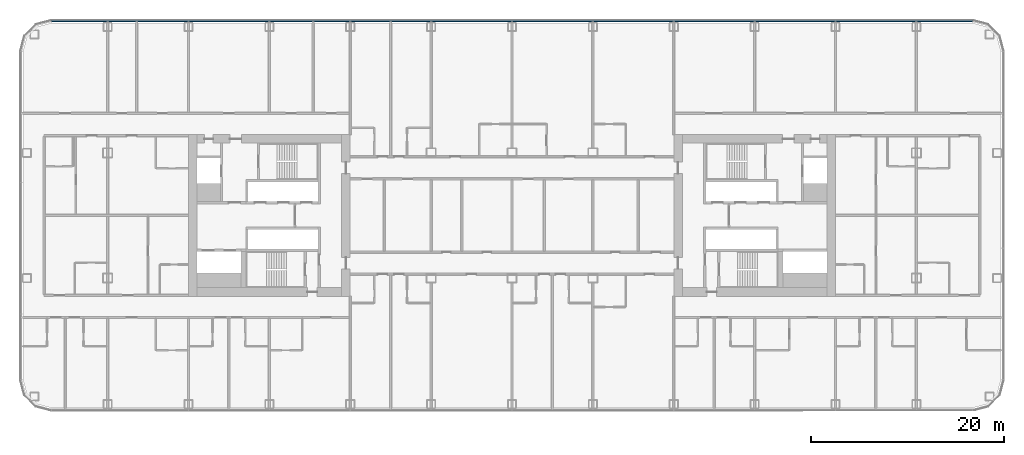
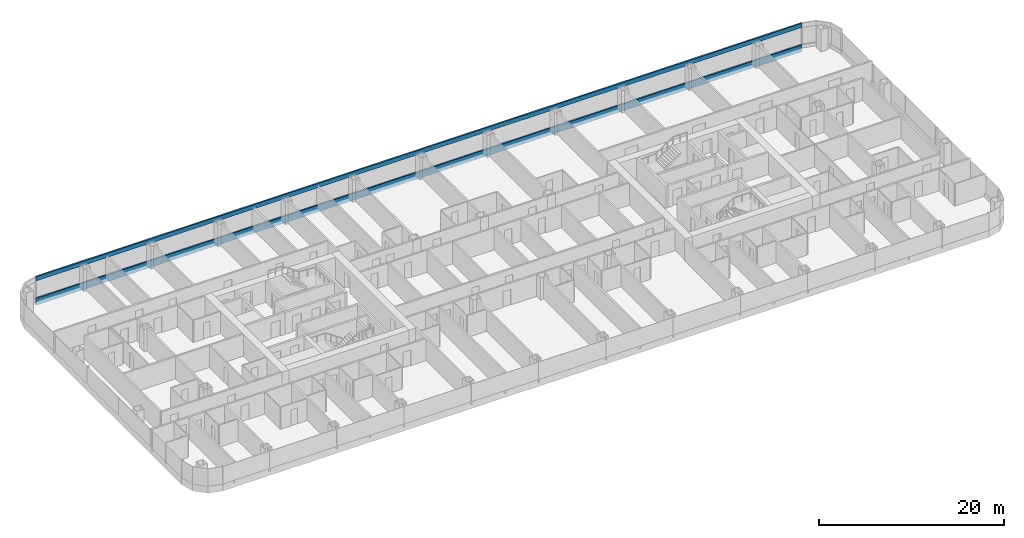
# One storey, part 8 of 29: 2 members, 1 element without a shape of its own.
"""IFC4 building model written with IfcOpenShell, lengths in metres."""

import ifcopenshell
import ifcopenshell.guid

model = None  # the IFC model being written
_history = None  # IfcOwnerHistory: only IFC2X3 demands one
_inside = {}  # id of a spatial element -> (the spatial element, [elements in it])
_under = {}  # id of a project, library or spatial element -> (it, [spatial elements below it])
_declared = {}  # id of a project -> (the project, [libraries it declares])
_typed = {}  # id of a type object -> (the type object, [elements of that type])
_made_of = {}  # id of a material, layer set ... -> (it, [elements and type objects made of it])


def new_model(schema):
    """Start an empty IFC model of exactly this schema.

    Asked for "IFC4X3", IfcOpenShell would pick the latest addendum, in which some entities
    have other attributes; the version numbers below select the first issue.
    IFC2X3 requires an IfcOwnerHistory on every rooted entity: one is made here for all.
    """
    global model, _history
    if schema == "IFC4X3":
        model = ifcopenshell.file(schema_version=(4, 3, 0, 0))
    else:
        model = ifcopenshell.file(schema=schema)
    _inside.clear()
    _under.clear()
    _declared.clear()
    _typed.clear()
    _made_of.clear()
    _history = None
    if model.schema == "IFC2X3":
        org = make("IfcOrganization", Name="unknown")
        user = make(
            "IfcPersonAndOrganization",
            ThePerson=make("IfcPerson", FamilyName="unknown"),
            TheOrganization=org,
        )
        app = make(
            "IfcApplication",
            ApplicationDeveloper=org,
            Version="unknown",
            ApplicationFullName="unknown",
            ApplicationIdentifier="unknown",
        )
        _history = make(
            "IfcOwnerHistory",
            OwningUser=user,
            OwningApplication=app,
            ChangeAction="ADDED",
            CreationDate=0,
        )
    return model


def make(cls, **values):
    """One entity of the class cls with the attributes given. An attribute that is None is left unset."""
    return model.create_entity(
        cls, **{name: value for name, value in values.items() if value is not None}
    )


def rooted(cls, **values):
    """An entity with a GlobalId (a new one), such as an element, a storey or a relation."""
    return make(cls, GlobalId=ifcopenshell.guid.new(), OwnerHistory=_history, **values)


def si_unit(unit_type, name, prefix=None):
    """IfcSIUnit, for example si_unit("LENGTHUNIT", "METRE", prefix="MILLI")."""
    return make("IfcSIUnit", UnitType=unit_type, Prefix=prefix, Name=name)


def assignment(units):
    """IfcUnitAssignment: the units of a project."""
    return None if units is None else make("IfcUnitAssignment", Units=units)


def point(xyz):
    """IfcCartesianPoint."""
    return None if xyz is None else make("IfcCartesianPoint", Coordinates=xyz)


def direction(xyz):
    """IfcDirection."""
    return None if xyz is None else make("IfcDirection", DirectionRatios=xyz)


def frame(location, z_axis=None, x_axis=None):
    """IfcAxis2Placement3D, a coordinate frame: its origin and axes. An axis left out is left unset."""
    return make(
        "IfcAxis2Placement3D",
        Location=point(location),
        Axis=direction(z_axis),
        RefDirection=direction(x_axis),
    )


def frame_2d(location, x_axis=None):
    """IfcAxis2Placement2D, a coordinate frame in the plane: its origin and x axis."""
    return make(
        "IfcAxis2Placement2D", Location=point(location), RefDirection=direction(x_axis)
    )


def origin():
    """The frame at (0, 0, 0) with its axes left unset."""
    return frame((0.0, 0.0, 0.0))


def origin_2d():
    """The frame at (0, 0) in the plane with its x axis left unset."""
    return frame_2d((0.0, 0.0))


def place(relative_to, where):
    """IfcLocalPlacement: puts the frame where relative to a parent placement (None: the world)."""
    return make(
        "IfcLocalPlacement", PlacementRelTo=relative_to, RelativePlacement=where
    )


def context(
    kind, dimensions, precision=None, world=None, true_north=None, identifier=None
):
    """IfcGeometricRepresentationContext, for example the 3D "Model" context."""
    return make(
        "IfcGeometricRepresentationContext",
        ContextIdentifier=identifier,
        ContextType=kind,
        CoordinateSpaceDimension=dimensions,
        Precision=precision,
        WorldCoordinateSystem=world,
        TrueNorth=true_north,
    )


def subcontext(parent, identifier, kind, view, scale=None):
    """IfcGeometricRepresentationSubContext, for example "Body" below "Model"."""
    return make(
        "IfcGeometricRepresentationSubContext",
        ContextIdentifier=identifier,
        ContextType=kind,
        ParentContext=parent,
        TargetScale=scale,
        TargetView=view,
    )


def project(units=None, contexts=None):
    """IfcProject with its units and contexts."""
    return rooted(
        "IfcProject",
        Name="project",
        RepresentationContexts=contexts,
        UnitsInContext=assignment(units),
    )


def spatial(cls, under=None, at=None, **own):
    """A site, building, storey or space (cls), placed at a placement, below another one or the project."""
    s = rooted(cls, ObjectPlacement=at, **own)
    if under is not None:
        _under.setdefault(under.id(), (under, []))[1].append(s)
    return s


def profile(cls, at=None, kind="AREA", **sizes):
    """A parametric profile (cls). Its sizes go by their IFC names, for example OverallWidth=200.0."""
    return make(cls, ProfileType=kind, Position=at, **sizes)


def rectangle(**sizes):
    """IfcRectangleProfileDef."""
    return profile("IfcRectangleProfileDef", **sizes)


def extrude(swept, where, along, depth):
    """IfcExtrudedAreaSolid: the profile swept, set in the frame where, extruded along a direction by depth."""
    return make(
        "IfcExtrudedAreaSolid",
        SweptArea=swept,
        Position=where,
        ExtrudedDirection=direction(along),
        Depth=depth,
    )


def shape(context_of_items, identifier, shape_type, items):
    """IfcShapeRepresentation: the items that make up one representation, for example the "Body"."""
    return make(
        "IfcShapeRepresentation",
        ContextOfItems=context_of_items,
        RepresentationIdentifier=identifier,
        RepresentationType=shape_type,
        Items=items,
    )


def material(Name=None, Category=None):
    """IfcMaterial."""
    return make("IfcMaterial", Name=Name, Category=Category)


def layer(
    of_material, thickness, ventilated=None, Name=None, Category=None, Priority=None
):
    """IfcMaterialLayer: one layer of a wall or slab, of a material (None: an air gap)."""
    return make(
        "IfcMaterialLayer",
        Material=of_material,
        LayerThickness=thickness,
        IsVentilated=ventilated,
        Name=Name,
        Category=Category,
        Priority=Priority,
    )


def layer_set(layers, Name=None):
    """IfcMaterialLayerSet."""
    return make("IfcMaterialLayerSet", MaterialLayers=layers, LayerSetName=Name)


def material_profile(
    of_material, cross_section, Name=None, Category=None, Priority=None
):
    """IfcMaterialProfile: a cross section and its material."""
    return make(
        "IfcMaterialProfile",
        Name=Name,
        Material=of_material,
        Profile=cross_section,
        Priority=Priority,
        Category=Category,
    )


def profile_set(profiles, Name=None, composite=None):
    """IfcMaterialProfileSet."""
    return make(
        "IfcMaterialProfileSet",
        Name=Name,
        MaterialProfiles=profiles,
        CompositeProfile=composite,
    )


def made_of(thing, what):
    """Note that an element or type object is made of a material, layer set ...; save() writes the relation."""
    if what is not None:
        _made_of.setdefault(what.id(), (what, []))[1].append(thing)
    return thing


def type_object(cls, material=None, **own):
    """A type object (cls), such as IfcWallType, which elements share."""
    return made_of(rooted(cls, **own), material)


def element(
    cls,
    number,
    at=None,
    inside=None,
    cuts=None,
    type_object=None,
    material=None,
    context=None,
    identifier="Body",
    shape_type=None,
    held_by="IfcProductDefinitionShape",
    body=None,
    shapes=None,
    **own,
):
    """One element of the class cls, such as IfcWall. Its Tag is "e" and its number.

    at: its placement. inside: the storey or other place that contains it. cuts: it is an
    opening in that element (IfcRelVoidsElement). A single representation is given by context,
    identifier, shape_type and body (its items); several are given by shapes. held_by: the class
    of the entity that holds the representations. save() writes the other relations.
    """
    e = rooted(cls, Tag="e%d" % number, ObjectPlacement=at, **own)
    if body is not None:
        shapes = [shape(context, identifier, shape_type, body)]
    if shapes is not None:
        e.Representation = make(held_by, Representations=shapes)
    if inside is not None:
        _inside.setdefault(inside.id(), (inside, []))[1].append(e)
    if cuts is not None:
        rooted(
            "IfcRelVoidsElement", RelatingBuildingElement=cuts, RelatedOpeningElement=e
        )
    if type_object is not None:
        _typed.setdefault(type_object.id(), (type_object, []))[1].append(e)
    return made_of(e, material)


def aggregate(whole, parts):
    """IfcRelAggregates: a whole, such as a stair, and the parts it consists of."""
    return rooted("IfcRelAggregates", RelatingObject=whole, RelatedObjects=parts)


def save(model, path):
    """Write the relations noted so far, then the file.

    IfcRelAggregates (storeys below a building ...), IfcRelContainedInSpatialStructure (elements
    in a storey), IfcRelDefinesByType, IfcRelAssociatesMaterial and IfcRelDeclares: one each for
    every whole, place, type object, material and project.
    """
    for whole, parts in _under.values():
        aggregate(whole, parts)
    for where, things in _inside.values():
        rooted(
            "IfcRelContainedInSpatialStructure",
            RelatedElements=things,
            RelatingStructure=where,
        )
    for kind, things in _typed.values():
        rooted("IfcRelDefinesByType", RelatedObjects=things, RelatingType=kind)
    for what, things in _made_of.values():
        rooted("IfcRelAssociatesMaterial", RelatedObjects=things, RelatingMaterial=what)
    for by, libraries in _declared.values():
        rooted("IfcRelDeclares", RelatingContext=by, RelatedDefinitions=libraries)
    model.write(path)


model = new_model("IFC4")

# Units and contexts
model_context = context("Model", 3, precision=1e-05, world=origin(), true_north=direction((0.0, 1.0)))
body_context = subcontext(model_context, "Body", "Model", "MODEL_VIEW")
ifc_project = project(units=[si_unit("LENGTHUNIT", "METRE"), si_unit("AREAUNIT", "SQUARE_METRE"), si_unit("VOLUMEUNIT", "CUBIC_METRE"), si_unit("PLANEANGLEUNIT", "RADIAN"), si_unit("MASSUNIT", "GRAM", prefix="KILO")], contexts=[model_context])

# Site, building, storey
site_placement = place(None, origin())
site = spatial("IfcSite", under=ifc_project, at=site_placement, CompositionType="ELEMENT")
building_placement = place(site_placement, origin())
building = spatial("IfcBuilding", under=site, at=building_placement, Name="Hakoniwa Tower and Hamabe Station Hall", CompositionType="ELEMENT")
storey_placement = place(building_placement, frame((0.0, 0.0, 61.39990234375)))
storey = spatial("IfcBuildingStorey", under=building, at=storey_placement, Name="L17", CompositionType="ELEMENT", Elevation=61.39990234375)

# Curtain wall, members
ifc_material_1 = material(Name="Dark low-e laminated glass", Category="glass")
ifc_layer = layer(ifc_material_1, 0.199951171875)
ifc_layer_set = layer_set([ifc_layer], Name="CW-1 UNITISED GUEST")
curtain_wall_type = type_object("IfcCurtainWallType", Name="CW-1 UNITISED GUEST", PredefinedType="NOTDEFINED", material=ifc_layer_set)
curtain_wall_placement = place(storey_placement, origin())
curtain_wall = element("IfcCurtainWall", 1, at=curtain_wall_placement, inside=storey, type_object=curtain_wall_type, Name="CW-1 curtain wall", PredefinedType="NOTDEFINED")
ifc_material_2 = material(Name="Aluminium 6063-T5 black anodised", Category="aluminium")
ifc_material_profile_1 = material_profile(ifc_material_2, rectangle(XDim=0.199951171875, YDim=0.550048828125, at=origin_2d()), Name="CW HEAD BAND 550X200")
ifc_profile_set_1 = profile_set([ifc_material_profile_1], Name="Aluminium 6063-T5 black anodised")
member_type_1 = type_object("IfcMemberType", Name="CW HEAD BAND 550X200", PredefinedType="USERDEFINED", material=ifc_profile_set_1)
member_1_placement = place(storey_placement, frame((47.839599609375, 20.199951171875, 2.925048828125), z_axis=(-1.0, 0.0, 0.0), x_axis=(0.0, -1.0, 0.0)))
member_1 = element("IfcMember", 2, at=member_1_placement, type_object=member_type_1, Name="CW-1 transom", ObjectType="TRANSOM", PredefinedType="USERDEFINED", context=body_context, shape_type="SweptSolid", body=[
    extrude(rectangle(XDim=0.199951171875, YDim=0.550048828125, at=origin_2d()), origin(), (0.0, 0.0, 1.0), 95.67919921875),
])
ifc_material_3 = material(Name="Aluminium 6063-T5 black anodised", Category="aluminium")
ifc_material_profile_2 = material_profile(ifc_material_3, rectangle(XDim=0.199951171875, YDim=0.89990234375, at=origin_2d()), Name="CW SLAB-EDGE BAND 900X200")
ifc_profile_set_2 = profile_set([ifc_material_profile_2], Name="Aluminium 6063-T5 black anodised")
member_type_2 = type_object("IfcMemberType", Name="CW SLAB-EDGE BAND 900X200", PredefinedType="USERDEFINED", material=ifc_profile_set_2)
member_2_placement = place(storey_placement, frame((47.839599609375, 20.199951171875, -0.099853515625), z_axis=(-1.0, 0.0, 0.0), x_axis=(0.0, -1.0, 0.0)))
member_2 = element("IfcMember", 3, at=member_2_placement, type_object=member_type_2, Name="CW-1 transom", ObjectType="TRANSOM", PredefinedType="USERDEFINED", context=body_context, shape_type="SweptSolid", body=[
    extrude(rectangle(XDim=0.199951171875, YDim=0.89990234375, at=origin_2d()), origin(), (0.0, 0.0, 1.0), 95.67919921875),
])
aggregate(curtain_wall, [member_2, member_1])

save(model, "model.ifc")
